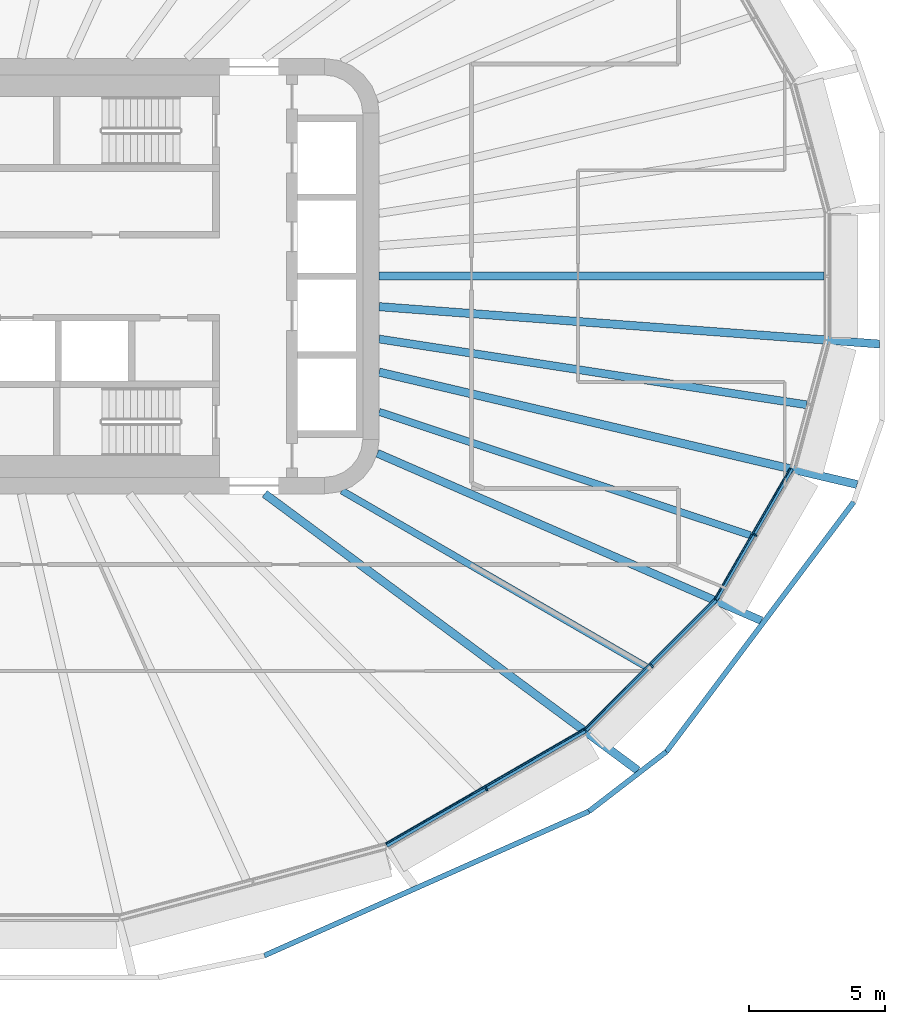
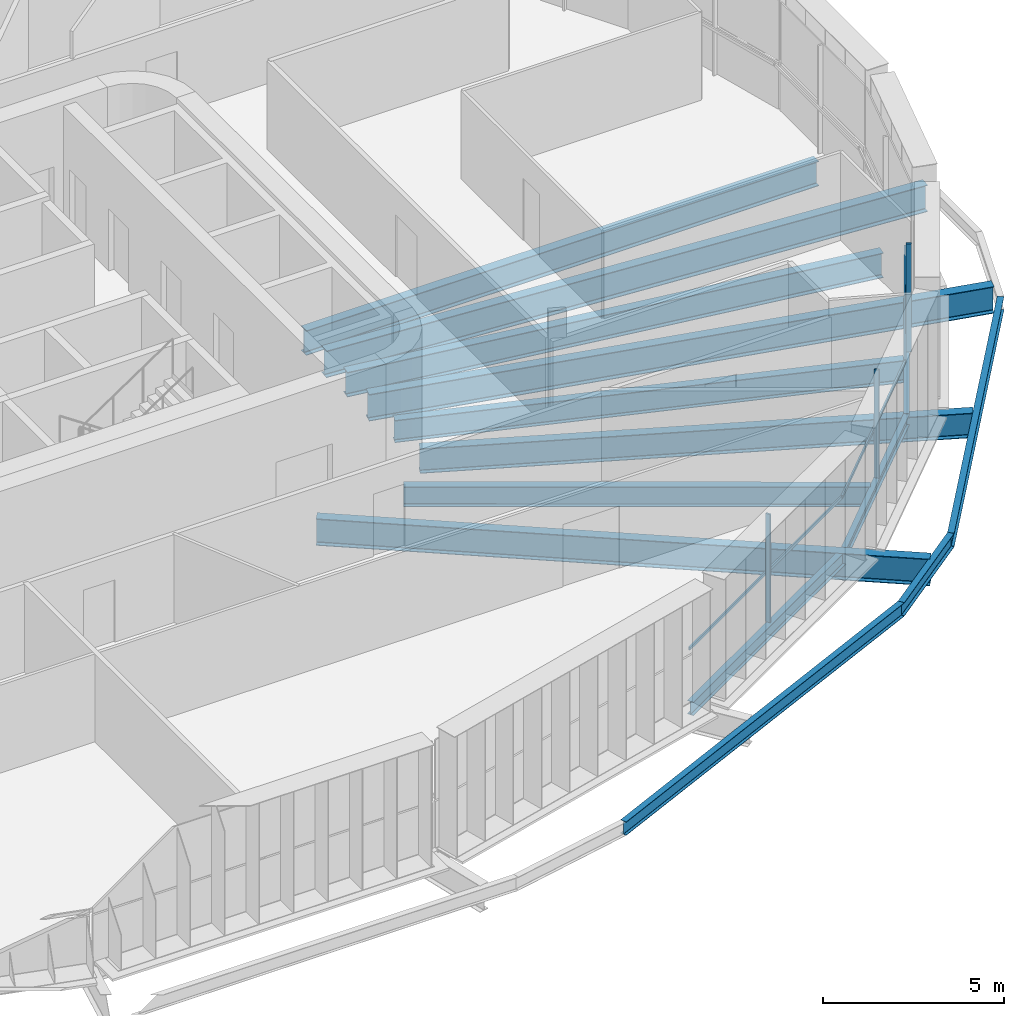
# One storey, part 5 of 25: 14 beams, 6 members, 3 elements without a shape of their own.
"""IFC4 building model written with IfcOpenShell, lengths in metres."""

import ifcopenshell
import ifcopenshell.guid

model = None  # the IFC model being written
_history = None  # IfcOwnerHistory: only IFC2X3 demands one
_inside = {}  # id of a spatial element -> (the spatial element, [elements in it])
_under = {}  # id of a project, library or spatial element -> (it, [spatial elements below it])
_declared = {}  # id of a project -> (the project, [libraries it declares])
_typed = {}  # id of a type object -> (the type object, [elements of that type])
_made_of = {}  # id of a material, layer set ... -> (it, [elements and type objects made of it])


def new_model(schema):
    """Start an empty IFC model of exactly this schema.

    Asked for "IFC4X3", IfcOpenShell would pick the latest addendum, in which some entities
    have other attributes; the version numbers below select the first issue.
    IFC2X3 requires an IfcOwnerHistory on every rooted entity: one is made here for all.
    """
    global model, _history
    if schema == "IFC4X3":
        model = ifcopenshell.file(schema_version=(4, 3, 0, 0))
    else:
        model = ifcopenshell.file(schema=schema)
    _inside.clear()
    _under.clear()
    _declared.clear()
    _typed.clear()
    _made_of.clear()
    _history = None
    if model.schema == "IFC2X3":
        org = make("IfcOrganization", Name="unknown")
        user = make(
            "IfcPersonAndOrganization",
            ThePerson=make("IfcPerson", FamilyName="unknown"),
            TheOrganization=org,
        )
        app = make(
            "IfcApplication",
            ApplicationDeveloper=org,
            Version="unknown",
            ApplicationFullName="unknown",
            ApplicationIdentifier="unknown",
        )
        _history = make(
            "IfcOwnerHistory",
            OwningUser=user,
            OwningApplication=app,
            ChangeAction="ADDED",
            CreationDate=0,
        )
    return model


def make(cls, **values):
    """One entity of the class cls with the attributes given. An attribute that is None is left unset."""
    return model.create_entity(
        cls, **{name: value for name, value in values.items() if value is not None}
    )


def rooted(cls, **values):
    """An entity with a GlobalId (a new one), such as an element, a storey or a relation."""
    return make(cls, GlobalId=ifcopenshell.guid.new(), OwnerHistory=_history, **values)


def si_unit(unit_type, name, prefix=None):
    """IfcSIUnit, for example si_unit("LENGTHUNIT", "METRE", prefix="MILLI")."""
    return make("IfcSIUnit", UnitType=unit_type, Prefix=prefix, Name=name)


def assignment(units):
    """IfcUnitAssignment: the units of a project."""
    return None if units is None else make("IfcUnitAssignment", Units=units)


def point(xyz):
    """IfcCartesianPoint."""
    return None if xyz is None else make("IfcCartesianPoint", Coordinates=xyz)


def direction(xyz):
    """IfcDirection."""
    return None if xyz is None else make("IfcDirection", DirectionRatios=xyz)


def frame(location, z_axis=None, x_axis=None):
    """IfcAxis2Placement3D, a coordinate frame: its origin and axes. An axis left out is left unset."""
    return make(
        "IfcAxis2Placement3D",
        Location=point(location),
        Axis=direction(z_axis),
        RefDirection=direction(x_axis),
    )


def frame_2d(location, x_axis=None):
    """IfcAxis2Placement2D, a coordinate frame in the plane: its origin and x axis."""
    return make(
        "IfcAxis2Placement2D", Location=point(location), RefDirection=direction(x_axis)
    )


def origin():
    """The frame at (0, 0, 0) with its axes left unset."""
    return frame((0.0, 0.0, 0.0))


def origin_2d():
    """The frame at (0, 0) in the plane with its x axis left unset."""
    return frame_2d((0.0, 0.0))


def place(relative_to, where):
    """IfcLocalPlacement: puts the frame where relative to a parent placement (None: the world)."""
    return make(
        "IfcLocalPlacement", PlacementRelTo=relative_to, RelativePlacement=where
    )


def context(
    kind, dimensions, precision=None, world=None, true_north=None, identifier=None
):
    """IfcGeometricRepresentationContext, for example the 3D "Model" context."""
    return make(
        "IfcGeometricRepresentationContext",
        ContextIdentifier=identifier,
        ContextType=kind,
        CoordinateSpaceDimension=dimensions,
        Precision=precision,
        WorldCoordinateSystem=world,
        TrueNorth=true_north,
    )


def subcontext(parent, identifier, kind, view, scale=None):
    """IfcGeometricRepresentationSubContext, for example "Body" below "Model"."""
    return make(
        "IfcGeometricRepresentationSubContext",
        ContextIdentifier=identifier,
        ContextType=kind,
        ParentContext=parent,
        TargetScale=scale,
        TargetView=view,
    )


def project(units=None, contexts=None):
    """IfcProject with its units and contexts."""
    return rooted(
        "IfcProject",
        Name="project",
        RepresentationContexts=contexts,
        UnitsInContext=assignment(units),
    )


def spatial(cls, under=None, at=None, **own):
    """A site, building, storey or space (cls), placed at a placement, below another one or the project."""
    s = rooted(cls, ObjectPlacement=at, **own)
    if under is not None:
        _under.setdefault(under.id(), (under, []))[1].append(s)
    return s


def profile(cls, at=None, kind="AREA", **sizes):
    """A parametric profile (cls). Its sizes go by their IFC names, for example OverallWidth=200.0."""
    return make(cls, ProfileType=kind, Position=at, **sizes)


def rectangle(**sizes):
    """IfcRectangleProfileDef."""
    return profile("IfcRectangleProfileDef", **sizes)


def i_section(**sizes):
    """IfcIShapeProfileDef."""
    return profile("IfcIShapeProfileDef", **sizes)


def extrude(swept, where, along, depth):
    """IfcExtrudedAreaSolid: the profile swept, set in the frame where, extruded along a direction by depth."""
    return make(
        "IfcExtrudedAreaSolid",
        SweptArea=swept,
        Position=where,
        ExtrudedDirection=direction(along),
        Depth=depth,
    )


def shape(context_of_items, identifier, shape_type, items):
    """IfcShapeRepresentation: the items that make up one representation, for example the "Body"."""
    return make(
        "IfcShapeRepresentation",
        ContextOfItems=context_of_items,
        RepresentationIdentifier=identifier,
        RepresentationType=shape_type,
        Items=items,
    )


def material(Name=None, Category=None):
    """IfcMaterial."""
    return make("IfcMaterial", Name=Name, Category=Category)


def layer(
    of_material, thickness, ventilated=None, Name=None, Category=None, Priority=None
):
    """IfcMaterialLayer: one layer of a wall or slab, of a material (None: an air gap)."""
    return make(
        "IfcMaterialLayer",
        Material=of_material,
        LayerThickness=thickness,
        IsVentilated=ventilated,
        Name=Name,
        Category=Category,
        Priority=Priority,
    )


def layer_set(layers, Name=None):
    """IfcMaterialLayerSet."""
    return make("IfcMaterialLayerSet", MaterialLayers=layers, LayerSetName=Name)


def material_profile(
    of_material, cross_section, Name=None, Category=None, Priority=None
):
    """IfcMaterialProfile: a cross section and its material."""
    return make(
        "IfcMaterialProfile",
        Name=Name,
        Material=of_material,
        Profile=cross_section,
        Priority=Priority,
        Category=Category,
    )


def profile_set(profiles, Name=None, composite=None):
    """IfcMaterialProfileSet."""
    return make(
        "IfcMaterialProfileSet",
        Name=Name,
        MaterialProfiles=profiles,
        CompositeProfile=composite,
    )


def made_of(thing, what):
    """Note that an element or type object is made of a material, layer set ...; save() writes the relation."""
    if what is not None:
        _made_of.setdefault(what.id(), (what, []))[1].append(thing)
    return thing


def type_object(cls, material=None, **own):
    """A type object (cls), such as IfcWallType, which elements share."""
    return made_of(rooted(cls, **own), material)


def element(
    cls,
    number,
    at=None,
    inside=None,
    cuts=None,
    type_object=None,
    material=None,
    context=None,
    identifier="Body",
    shape_type=None,
    held_by="IfcProductDefinitionShape",
    body=None,
    shapes=None,
    **own,
):
    """One element of the class cls, such as IfcWall. Its Tag is "e" and its number.

    at: its placement. inside: the storey or other place that contains it. cuts: it is an
    opening in that element (IfcRelVoidsElement). A single representation is given by context,
    identifier, shape_type and body (its items); several are given by shapes. held_by: the class
    of the entity that holds the representations. save() writes the other relations.
    """
    e = rooted(cls, Tag="e%d" % number, ObjectPlacement=at, **own)
    if body is not None:
        shapes = [shape(context, identifier, shape_type, body)]
    if shapes is not None:
        e.Representation = make(held_by, Representations=shapes)
    if inside is not None:
        _inside.setdefault(inside.id(), (inside, []))[1].append(e)
    if cuts is not None:
        rooted(
            "IfcRelVoidsElement", RelatingBuildingElement=cuts, RelatedOpeningElement=e
        )
    if type_object is not None:
        _typed.setdefault(type_object.id(), (type_object, []))[1].append(e)
    return made_of(e, material)


def aggregate(whole, parts):
    """IfcRelAggregates: a whole, such as a stair, and the parts it consists of."""
    return rooted("IfcRelAggregates", RelatingObject=whole, RelatedObjects=parts)


def save(model, path):
    """Write the relations noted so far, then the file.

    IfcRelAggregates (storeys below a building ...), IfcRelContainedInSpatialStructure (elements
    in a storey), IfcRelDefinesByType, IfcRelAssociatesMaterial and IfcRelDeclares: one each for
    every whole, place, type object, material and project.
    """
    for whole, parts in _under.values():
        aggregate(whole, parts)
    for where, things in _inside.values():
        rooted(
            "IfcRelContainedInSpatialStructure",
            RelatedElements=things,
            RelatingStructure=where,
        )
    for kind, things in _typed.values():
        rooted("IfcRelDefinesByType", RelatedObjects=things, RelatingType=kind)
    for what, things in _made_of.values():
        rooted("IfcRelAssociatesMaterial", RelatedObjects=things, RelatingMaterial=what)
    for by, libraries in _declared.values():
        rooted("IfcRelDeclares", RelatingContext=by, RelatedDefinitions=libraries)
    model.write(path)


model = new_model("IFC4")

# Units and contexts
model_context = context("Model", 3, precision=1e-05, world=origin(), true_north=direction((0.0, 1.0)))
body_context = subcontext(model_context, "Body", "Model", "MODEL_VIEW")
ifc_project = project(units=[si_unit("LENGTHUNIT", "METRE"), si_unit("AREAUNIT", "SQUARE_METRE"), si_unit("VOLUMEUNIT", "CUBIC_METRE"), si_unit("PLANEANGLEUNIT", "RADIAN"), si_unit("MASSUNIT", "GRAM", prefix="KILO")], contexts=[model_context])

# Site, building, storey
site_placement = place(None, origin())
site = spatial("IfcSite", under=ifc_project, at=site_placement, CompositionType="ELEMENT")
building_placement = place(site_placement, origin())
building = spatial("IfcBuilding", under=site, at=building_placement, Name="Sahrelin Media Tower", CompositionType="ELEMENT")
storey_placement = place(building_placement, frame((0.0, 0.0, 135.60009765625)))
storey = spatial("IfcBuildingStorey", under=building, at=storey_placement, Name="L27", CompositionType="ELEMENT", Elevation=135.60009765625)

# Beams
ifc_material_1 = material(Name="Steel S355", Category="steel")
ifc_material_profile_1 = material_profile(ifc_material_1, i_section(OverallWidth=0.1650390625, OverallDepth=0.303466796875, WebThickness=0.006103515625, FlangeThickness=0.01025390625, FilletRadius=0.0087890625, at=origin_2d()), Name="UB 305x165x40")
ifc_profile_set_1 = profile_set([ifc_material_profile_1], Name="Steel S355")
beam_type_1 = type_object("IfcBeamType", Name="Edge beam EB2", PredefinedType="BEAM", material=ifc_profile_set_1)
beam_1_placement = place(storey_placement, frame((30.15478515625, -7.07861328125, -0.3017578125), z_axis=(-0.500036242679, -0.866004478053, 0.0), x_axis=(0.866004478053, -0.500036242679, 0.0)))
element("IfcBeam", 1, at=beam_1_placement, inside=storey, type_object=beam_type_1, Name="Edge beam L27-03", PredefinedType="BEAM", context=body_context, shape_type="SweptSolid", body=[
    extrude(i_section(OverallWidth=0.1650390625, OverallDepth=0.303466796875, WebThickness=0.006103515625, FlangeThickness=0.01025390625, FilletRadius=0.0087890625, at=origin_2d()), origin(), (0.0, 0.0, 1.0), 5.544921875),
])
ifc_material_profile_2 = material_profile(ifc_material_1, i_section(OverallWidth=0.17138671875, OverallDepth=0.35498046875, WebThickness=0.00732421875, FlangeThickness=0.011474609375, FilletRadius=0.01025390625, at=origin_2d()), Name="UB 356x171x51")
ifc_profile_set_2 = profile_set([ifc_material_profile_2], Name="Steel S355")
beam_type_2 = type_object("IfcBeamType", Name="Edge beam EB3", PredefinedType="BEAM", material=ifc_profile_set_2)
beam_2_placement = place(storey_placement, frame((27.36474609375, -11.903564453125, -0.32763671875), z_axis=(-0.707106781187, -0.707106781187, 0.0), x_axis=(0.707106781187, -0.707106781187, 0.0)))
element("IfcBeam", 2, at=beam_2_placement, inside=storey, type_object=beam_type_2, Name="Edge beam L27-04", PredefinedType="BEAM", context=body_context, shape_type="SweptSolid", body=[
    extrude(i_section(OverallWidth=0.17138671875, OverallDepth=0.35498046875, WebThickness=0.00732421875, FlangeThickness=0.011474609375, FilletRadius=0.01025390625, at=origin_2d()), origin(), (0.0, 0.0, 1.0), 6.751953125),
])
ifc_material_profile_3 = material_profile(ifc_material_1, i_section(OverallWidth=0.1904296875, OverallDepth=0.45703125, WebThickness=0.009033203125, FlangeThickness=0.014404296875, FilletRadius=0.01025390625, at=origin_2d()), Name="UB 457x191x74")
ifc_profile_set_3 = profile_set([ifc_material_profile_3], Name="Steel S355")
beam_type_3 = type_object("IfcBeamType", Name="Edge beam EB5", PredefinedType="BEAM", material=ifc_profile_set_3)
beam_3_placement = place(storey_placement, frame((22.5673828125, -16.695556640625, -0.378662109375), z_axis=(-0.866028896434, -0.499993950504, 0.0), x_axis=(0.499993950504, -0.866028896434, 0.0)))
element("IfcBeam", 3, at=beam_3_placement, inside=storey, type_object=beam_type_3, Name="Edge beam L27-05", PredefinedType="BEAM", context=body_context, shape_type="SweptSolid", body=[
    extrude(i_section(OverallWidth=0.1904296875, OverallDepth=0.45703125, WebThickness=0.009033203125, FlangeThickness=0.014404296875, FilletRadius=0.01025390625, at=origin_2d()), origin(), (0.0, 0.0, 1.0), 8.4326171875),
])

# Curtain wall, member
ifc_material_2 = material(Name="Champagne anodised aluminium 6063-T6", Category="aluminium")
ifc_layer = layer(ifc_material_2, 0.14990234375)
ifc_layer_set = layer_set([ifc_layer], Name="Tower ribbon curtain wall")
curtain_wall_type = type_object("IfcCurtainWallType", Name="Tower ribbon curtain wall", PredefinedType="NOTDEFINED", material=ifc_layer_set)
curtain_wall_1_placement = place(storey_placement, frame((18.990966796875, -18.93359375, 0.0), z_axis=(0.0, 0.0, 1.0), x_axis=(1.0, 0.0, 0.0)))
curtain_wall_1 = element("IfcCurtainWall", 4, at=curtain_wall_1_placement, inside=storey, type_object=curtain_wall_type, Name="L27:CW:L27-20", PredefinedType="NOTDEFINED")
ifc_material_profile_4 = material_profile(ifc_material_2, rectangle(XDim=0.06005859375, YDim=0.14990234375, at=origin_2d()), Name="Mullion 60x150")
ifc_profile_set_4 = profile_set([ifc_material_profile_4], Name="Champagne anodised aluminium 6063-T6")
member_type_1 = type_object("IfcMemberType", Name="Mullion 60x150 CW1", PredefinedType="MULLION", material=ifc_profile_set_4)
member_1_placement = place(storey_placement, frame((18.943603515625, -18.851318359375, 0.0), z_axis=(0.0, 0.0, 1.0), x_axis=(0.866027149108, 0.499996976998, 0.0)))
member_1 = element("IfcMember", 5, at=member_1_placement, type_object=member_type_1, Name="L27:CWM:L27-20", PredefinedType="MULLION", context=body_context, shape_type="SweptSolid", body=[
    extrude(rectangle(XDim=0.06005859375, YDim=0.14990234375, at=origin_2d()), origin(), (0.0, 0.0, 1.0), 3.6484375),
])

curtain_wall_2_placement = place(storey_placement, frame((25.08349609375, -14.396728515625, 0.0), z_axis=(0.0, 0.0, 1.0), x_axis=(1.0, 0.0, 0.0)))
curtain_wall_2 = element("IfcCurtainWall", 6, at=curtain_wall_2_placement, inside=storey, type_object=curtain_wall_type, Name="L27:CW:L27-21", PredefinedType="NOTDEFINED")
member_2_placement = place(storey_placement, frame((25.016357421875, -14.32958984375, 0.0), z_axis=(0.0, 0.0, 1.0), x_axis=(0.707106781187, 0.707106781187, 0.0)))
member_2 = element("IfcMember", 7, at=member_2_placement, type_object=member_type_1, Name="L27:CWM:L27-21", PredefinedType="MULLION", context=body_context, shape_type="SweptSolid", body=[
    extrude(rectangle(XDim=0.06005859375, YDim=0.14990234375, at=origin_2d()), origin(), (0.0, 0.0, 1.0), 3.6484375),
])

curtain_wall_3_placement = place(storey_placement, frame((28.8984375, -9.5546875, 0.0), z_axis=(0.0, 0.0, 1.0), x_axis=(1.0, 0.0, 0.0)))
curtain_wall_3 = element("IfcCurtainWall", 8, at=curtain_wall_3_placement, inside=storey, type_object=curtain_wall_type, Name="L27:CW:L27-22", PredefinedType="NOTDEFINED")
member_3_placement = place(storey_placement, frame((28.816162109375, -9.507080078125, 0.0), z_axis=(0.0, 0.0, 1.0), x_axis=(0.49999395399, 0.866028894422, 0.0)))
member_3 = element("IfcMember", 9, at=member_3_placement, type_object=member_type_1, Name="L27:CWM:L27-22", PredefinedType="MULLION", context=body_context, shape_type="SweptSolid", body=[
    extrude(rectangle(XDim=0.06005859375, YDim=0.14990234375, at=origin_2d()), origin(), (0.0, 0.0, 1.0), 3.6484375),
])

# Beams
ifc_material_profile_5 = material_profile(ifc_material_1, i_section(OverallWidth=0.291748046875, OverallDepth=0.8349609375, WebThickness=0.013916015625, FlangeThickness=0.018798828125, FilletRadius=0.017822265625, at=origin_2d()), Name="UB 838x292x176")
ifc_profile_set_5 = profile_set([ifc_material_profile_5], Name="Steel S355")
beam_type_4 = type_object("IfcBeamType", Name="Radial primary beam PB10", PredefinedType="BEAM", material=ifc_profile_set_5)
beam_4_placement = place(storey_placement, frame((14.93310546875, -6.509521484375, -0.567626953125), z_axis=(0.916692689736, -0.399592933601, 0.0), x_axis=(0.399592933601, 0.916692689736, 0.0)))
element("IfcBeam", 10, at=beam_4_placement, inside=storey, type_object=beam_type_4, Name="Radial beam L27-22", PredefinedType="BEAM", context=body_context, shape_type="SweptSolid", body=[
    extrude(i_section(OverallWidth=0.291748046875, OverallDepth=0.8349609375, WebThickness=0.013916015625, FlangeThickness=0.018798828125, FilletRadius=0.017822265625, at=origin_2d()), origin(), (0.0, 0.0, 1.0), 15.40380859375),
])
ifc_material_profile_6 = material_profile(ifc_material_1, i_section(OverallWidth=0.30322265625, OverallDepth=0.903076171875, WebThickness=0.01513671875, FlangeThickness=0.020263671875, FilletRadius=0.01904296875, at=origin_2d()), Name="UB 914x305x201")
ifc_profile_set_6 = profile_set([ifc_material_profile_6], Name="Steel S355")
beam_type_5 = type_object("IfcBeamType", Name="Radial primary beam PB11", PredefinedType="BEAM", material=ifc_profile_set_6)
beam_5_placement = place(storey_placement, frame((10.791015625, -8.0, -0.6015625), z_axis=(0.803316017069, -0.595553000766, 0.0), x_axis=(0.595553000766, 0.803316017069, 0.0)))
element("IfcBeam", 11, at=beam_5_placement, inside=storey, type_object=beam_type_5, Name="Radial beam L27-21", PredefinedType="BEAM", context=body_context, shape_type="SweptSolid", body=[
    extrude(i_section(OverallWidth=0.30322265625, OverallDepth=0.903076171875, WebThickness=0.01513671875, FlangeThickness=0.020263671875, FilletRadius=0.01904296875, at=origin_2d()), origin(), (0.0, 0.0, 1.0), 17.076416015625),
])
beam_6_placement = place(storey_placement, frame((15.0, -3.5263671875, -0.6015625), z_axis=(0.973459016424, -0.22886140641, 0.0), x_axis=(0.22886140641, 0.973459016424, 0.0)))
element("IfcBeam", 12, at=beam_6_placement, inside=storey, type_object=beam_type_5, Name="Radial beam L27-23", PredefinedType="BEAM", context=body_context, shape_type="SweptSolid", body=[
    extrude(i_section(OverallWidth=0.30322265625, OverallDepth=0.903076171875, WebThickness=0.01513671875, FlangeThickness=0.020263671875, FilletRadius=0.01904296875, at=origin_2d()), origin(), (0.0, 0.0, 1.0), 18.049560546875),
])
beam_7_placement = place(storey_placement, frame((15.0, -1.120361328125, -0.6015625), z_axis=(0.997223267911, -0.074469818961, 0.0), x_axis=(0.074469818961, 0.997223267911, 0.0)))
element("IfcBeam", 13, at=beam_7_placement, inside=storey, type_object=beam_type_5, Name="Radial beam L27-24", PredefinedType="BEAM", context=body_context, shape_type="SweptSolid", body=[
    extrude(i_section(OverallWidth=0.30322265625, OverallDepth=0.903076171875, WebThickness=0.01513671875, FlangeThickness=0.020263671875, FilletRadius=0.01904296875, at=origin_2d()), origin(), (0.0, 0.0, 1.0), 18.447509765625),
])
ifc_material_profile_7 = material_profile(ifc_material_1, i_section(OverallWidth=0.291748046875, OverallDepth=0.8349609375, WebThickness=0.013916015625, FlangeThickness=0.018798828125, FilletRadius=0.017822265625, at=origin_2d()), Name="UB 838x292x176")
ifc_profile_set_7 = profile_set([ifc_material_profile_7], Name="Steel S355")
beam_type_6 = type_object("IfcBeamType", Name="Radial secondary beam SB10", PredefinedType="BEAM", material=ifc_profile_set_7)
beam_8_placement = place(storey_placement, frame((15.0, -2.308837890625, -0.567626953125), z_axis=(0.988359089309, -0.152139115876, 0.0), x_axis=(0.152139115876, 0.988359089309, 0.0)))
element("IfcBeam", 14, at=beam_8_placement, inside=storey, type_object=beam_type_6, Name="Secondary beam L27-23", PredefinedType="BEAM", context=body_context, shape_type="SweptSolid", body=[
    extrude(i_section(OverallWidth=0.291748046875, OverallDepth=0.8349609375, WebThickness=0.013916015625, FlangeThickness=0.018798828125, FilletRadius=0.017822265625, at=origin_2d()), origin(), (0.0, 0.0, 1.0), 15.89794921875),
])
beam_9_placement = place(storey_placement, frame((15.0, 0.0, -0.567626953125), z_axis=(1.0, 0.0, 0.0), x_axis=(0.0, 1.0, 0.0)))
element("IfcBeam", 15, at=beam_9_placement, inside=storey, type_object=beam_type_6, Name="Secondary beam L27-24", PredefinedType="BEAM", context=body_context, shape_type="SweptSolid", body=[
    extrude(i_section(OverallWidth=0.291748046875, OverallDepth=0.8349609375, WebThickness=0.013916015625, FlangeThickness=0.018798828125, FilletRadius=0.017822265625, at=origin_2d()), origin(), (0.0, 0.0, 1.0), 16.355712890625),
])
ifc_material_profile_8 = material_profile(ifc_material_1, i_section(OverallWidth=0.2529296875, OverallDepth=0.677978515625, WebThickness=0.01171875, FlangeThickness=0.01611328125, FilletRadius=0.01513671875, at=origin_2d()), Name="UB 686x254x125")
ifc_profile_set_8 = profile_set([ifc_material_profile_8], Name="Steel S355")
beam_type_7 = type_object("IfcBeamType", Name="Radial secondary beam SB8", PredefinedType="BEAM", material=ifc_profile_set_8)
beam_10_placement = place(storey_placement, frame((13.62939453125, -7.885498046875, -0.489013671875), z_axis=(0.865569164292, -0.500789398676, 0.0), x_axis=(0.500789398676, 0.865569164292, 0.0)))
element("IfcBeam", 16, at=beam_10_placement, inside=storey, type_object=beam_type_7, Name="Secondary beam L27-21", PredefinedType="BEAM", context=body_context, shape_type="SweptSolid", body=[
    extrude(i_section(OverallWidth=0.2529296875, OverallDepth=0.677978515625, WebThickness=0.01171875, FlangeThickness=0.01611328125, FilletRadius=0.01513671875, at=origin_2d()), origin(), (0.0, 0.0, 1.0), 12.904541015625),
])
ifc_material_profile_9 = material_profile(ifc_material_1, i_section(OverallWidth=0.26513671875, OverallDepth=0.75390625, WebThickness=0.0126953125, FlangeThickness=0.017578125, FilletRadius=0.0166015625, at=origin_2d()), Name="UB 762x267x147")
ifc_profile_set_9 = profile_set([ifc_material_profile_9], Name="Steel S355")
beam_type_8 = type_object("IfcBeamType", Name="Radial secondary beam SB9", PredefinedType="BEAM", material=ifc_profile_set_9)
beam_11_placement = place(storey_placement, frame((15.0, -4.9873046875, -0.527099609375), z_axis=(0.948922383089, -0.315509605039, 0.0), x_axis=(0.315509605039, 0.948922383089, 0.0)))
element("IfcBeam", 17, at=beam_11_placement, inside=storey, type_object=beam_type_8, Name="Secondary beam L27-22", PredefinedType="BEAM", context=body_context, shape_type="SweptSolid", body=[
    extrude(i_section(OverallWidth=0.26513671875, OverallDepth=0.75390625, WebThickness=0.0126953125, FlangeThickness=0.017578125, FilletRadius=0.0166015625, at=origin_2d()), origin(), (0.0, 0.0, 1.0), 14.3818359375),
])
ifc_material_profile_10 = material_profile(ifc_material_1, i_section(OverallWidth=0.1904296875, OverallDepth=0.45703125, WebThickness=0.009033203125, FlangeThickness=0.014404296875, FilletRadius=0.01025390625, at=origin_2d()), Name="UB 457x191x74")
ifc_profile_set_10 = profile_set([ifc_material_profile_10], Name="Steel S355")
beam_type_9 = type_object("IfcBeamType", Name="Tie chord TC5", PredefinedType="BEAM", material=ifc_profile_set_10)
beam_12_placement = place(storey_placement, frame((10.78076171875, -24.975341796875, -0.378662109375), z_axis=(0.913830827108, 0.406095086681, 0.0), x_axis=(-0.406095086681, 0.913830827108, 0.0)))
element("IfcBeam", 18, at=beam_12_placement, inside=storey, type_object=beam_type_9, Name="Tie chord L27-20", PredefinedType="BEAM", context=body_context, shape_type="SweptSolid", body=[
    extrude(i_section(OverallWidth=0.1904296875, OverallDepth=0.45703125, WebThickness=0.009033203125, FlangeThickness=0.014404296875, FilletRadius=0.01025390625, at=origin_2d()), origin(), (0.0, 0.0, 1.0), 13.054931640625),
])
beam_13_placement = place(storey_placement, frame((22.710693359375, -19.673828125, -0.378662109375), z_axis=(0.792467490374, 0.609914155189, 0.0), x_axis=(-0.609914155189, 0.792467490374, 0.0)))
element("IfcBeam", 19, at=beam_13_placement, inside=storey, type_object=beam_type_9, Name="Tie chord L27-21", PredefinedType="BEAM", context=body_context, shape_type="SweptSolid", body=[
    extrude(i_section(OverallWidth=0.1904296875, OverallDepth=0.45703125, WebThickness=0.009033203125, FlangeThickness=0.014404296875, FilletRadius=0.01025390625, at=origin_2d()), origin(), (0.0, 0.0, 1.0), 3.59619140625),
])
beam_14_placement = place(storey_placement, frame((25.560546875, -17.48046875, -0.378662109375), z_axis=(0.600040835685, 0.799969371608, 0.0), x_axis=(-0.799969371608, 0.600040835685, 0.0)))
element("IfcBeam", 20, at=beam_14_placement, inside=storey, type_object=beam_type_9, Name="Tie chord L27-22", PredefinedType="BEAM", context=body_context, shape_type="SweptSolid", body=[
    extrude(i_section(OverallWidth=0.1904296875, OverallDepth=0.45703125, WebThickness=0.009033203125, FlangeThickness=0.014404296875, FilletRadius=0.01025390625, at=origin_2d()), origin(), (0.0, 0.0, 1.0), 11.478759765625),
])

# Member
ifc_material_profile_11 = material_profile(ifc_material_2, rectangle(XDim=0.050048828125, YDim=0.10009765625, at=origin_2d()), Name="Transom 50x100")
ifc_profile_set_11 = profile_set([ifc_material_profile_11], Name="Champagne anodised aluminium 6063-T6")
member_type_2 = type_object("IfcMemberType", Name="Transom 50x100 CW1", PredefinedType="USERDEFINED", material=ifc_profile_set_11)
member_4_placement = place(storey_placement, frame((15.255615234375, -20.864990234375, 1.599853515625), z_axis=(0.866020563817, 0.500008382975, 0.0), x_axis=(-0.500008382975, 0.866020563817, 0.0)))
member_4 = element("IfcMember", 21, at=member_4_placement, type_object=member_type_2, Name="L27:CWT:L27-20", ObjectType="TRANSOM", PredefinedType="USERDEFINED", context=body_context, shape_type="SweptSolid", body=[
    extrude(rectangle(XDim=0.050048828125, YDim=0.10009765625, at=origin_2d()), origin(), (0.0, 0.0, 1.0), 8.401123046875),
])

aggregate(curtain_wall_1, [member_1, member_4])

member_5_placement = place(storey_placement, frame((22.569580078125, -16.635009765625, 1.599853515625), z_axis=(0.707106781187, 0.707106781187, 0.0), x_axis=(-0.707106781187, 0.707106781187, 0.0)))
member_5 = element("IfcMember", 22, at=member_5_placement, type_object=member_type_2, Name="L27:CWT:L27-21", ObjectType="TRANSOM", PredefinedType="USERDEFINED", context=body_context, shape_type="SweptSolid", body=[
    extrude(rectangle(XDim=0.050048828125, YDim=0.10009765625, at=origin_2d()), origin(), (0.0, 0.0, 1.0), 6.720703125),
])

aggregate(curtain_wall_2, [member_2, member_5])

member_6_placement = place(storey_placement, frame((27.35107421875, -11.844482421875, 1.599853515625), z_axis=(0.500006091826, 0.866021886639, 0.0), x_axis=(-0.866021886639, 0.500006091826, 0.0)))
member_6 = element("IfcMember", 23, at=member_6_placement, type_object=member_type_2, Name="L27:CWT:L27-22", ObjectType="TRANSOM", PredefinedType="USERDEFINED", context=body_context, shape_type="SweptSolid", body=[
    extrude(rectangle(XDim=0.050048828125, YDim=0.10009765625, at=origin_2d()), origin(), (0.0, 0.0, 1.0), 5.513671875),
])

aggregate(curtain_wall_3, [member_3, member_6])

save(model, "model.ifc")
